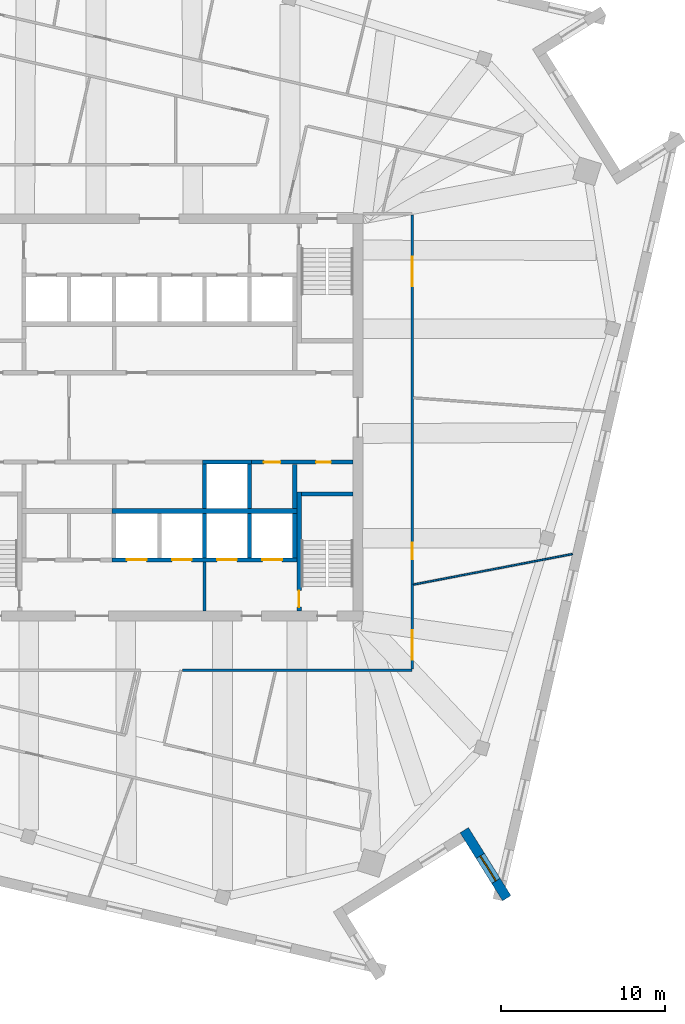
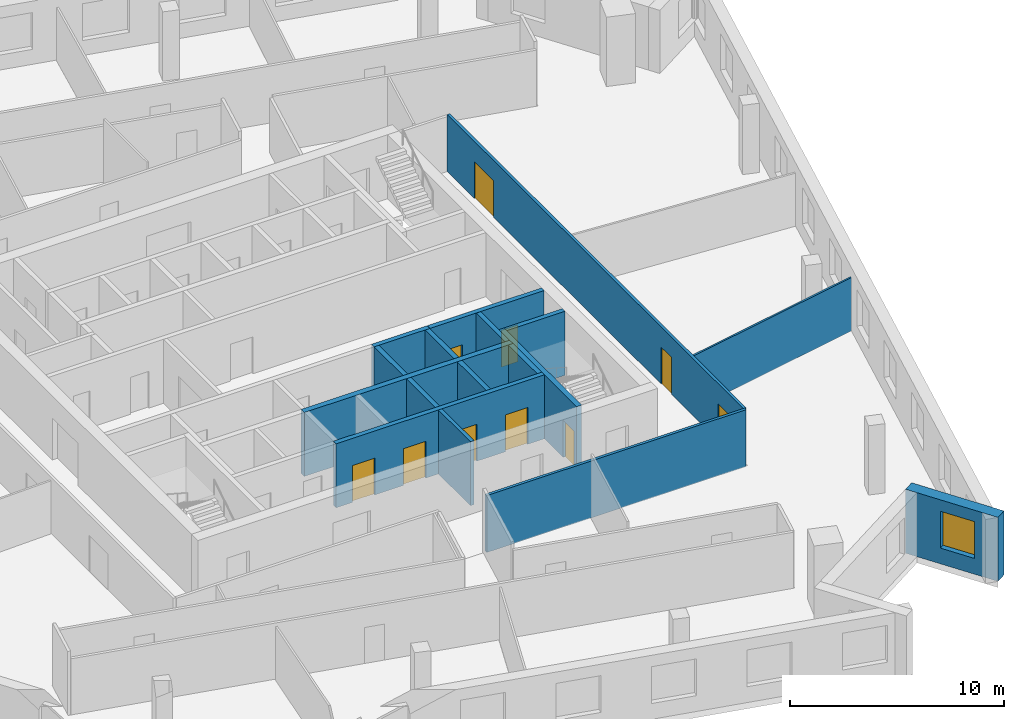
# One storey, part 7 of 14: 17 walls, 10 doors, 1 window, 11 openings.
"""IFC4 building model written with IfcOpenShell, lengths in metres."""

from ifc_helpers import new_model, si_unit, direction, frame, frame_2d, origin, place, context, subcontext, project, spatial, rectangle, extrude, material, layer, layer_set, type_object, element, fill, save


model = new_model("IFC4")

# Units and contexts
model_context = context("Model", 3, precision=1e-05, world=origin(), true_north=direction((0.0, 1.0)))
body_context = subcontext(model_context, "Body", "Model", "MODEL_VIEW")
ifc_project = project(units=[si_unit("LENGTHUNIT", "METRE"), si_unit("AREAUNIT", "SQUARE_METRE"), si_unit("VOLUMEUNIT", "CUBIC_METRE"), si_unit("PLANEANGLEUNIT", "RADIAN"), si_unit("MASSUNIT", "GRAM", prefix="KILO")], contexts=[model_context])

# Site, building, storey
site_placement = place(None, origin())
site = spatial("IfcSite", under=ifc_project, at=site_placement, CompositionType="ELEMENT")
building_placement = place(site_placement, origin())
building = spatial("IfcBuilding", under=site, at=building_placement, Name="Dilmun Exchange Tower", CompositionType="ELEMENT")
storey_placement = place(building_placement, frame((0.0, 0.0, 340.5)))
storey = spatial("IfcBuildingStorey", under=building, at=storey_placement, Name="L81", CompositionType="ELEMENT", Elevation=340.5)

# Walls
ifc_material_1 = material(Name="Concrete C40/50", Category="concrete")
ifc_layer_1 = layer(ifc_material_1, 0.199951171875)
ifc_layer_set_1 = layer_set([ifc_layer_1], Name="Concrete C40/50")
wall_type_1 = type_object("IfcWallType", Name="Core partition wall 200", PredefinedType="PARTITIONING", material=ifc_layer_set_1)
wall_1_placement = place(storey_placement, frame((2.75, -11.794921875, 0.0), z_axis=(0.0, 0.0, 1.0), x_axis=(0.0, 1.0, 0.0)))
element("IfcWall", 1, at=wall_1_placement, inside=storey, type_object=wall_type_1, Name="L81 core partition wall 01", PredefinedType="PARTITIONING", context=body_context, shape_type="SweptSolid", body=[
    extrude(rectangle(XDim=2.989990234375, YDim=0.199951171875, at=frame_2d((1.4951171875, 0.0))), origin(), (0.0, 0.0, 1.0), 3.64990234375),
])
ifc_layer_2 = layer(ifc_material_1, 0.25)
ifc_layer_set_2 = layer_set([ifc_layer_2], Name="Concrete C40/50")
wall_type_2 = type_object("IfcWallType", Name="Core partition wall 250", PredefinedType="PARTITIONING", material=ifc_layer_set_2)
wall_2_placement = place(storey_placement, frame((8.25, -5.544921875, 0.0), z_axis=(0.0, 0.0, 1.0), x_axis=(0.0, 1.0, 0.0)))
element("IfcWall", 2, at=wall_2_placement, inside=storey, type_object=wall_type_2, Name="L81 core partition wall 08", PredefinedType="PARTITIONING", context=body_context, shape_type="SweptSolid", body=[
    extrude(rectangle(XDim=2.68994140625, YDim=0.25, at=frame_2d((1.344970703125, 0.0))), origin(), (0.0, 0.0, 1.0), 3.64990234375),
])

# Wall, openings, doors
wall_3_placement = place(storey_placement, frame((5.6298828125, -2.72509765625, 0.0), z_axis=(0.0, 0.0, 1.0), x_axis=(1.0, 0.0, 0.0)))
wall_3 = element("IfcWall", 3, at=wall_3_placement, inside=storey, type_object=wall_type_2, Name="L81 core partition wall 10", PredefinedType="PARTITIONING", context=body_context, shape_type="SweptSolid", body=[
    extrude(rectangle(XDim=6.1650390625, YDim=0.25, at=frame_2d((3.08251953125, 0.0))), origin(), (0.0, 0.0, 1.0), 3.64990234375),
])
opening_1_placement = place(wall_3_placement, frame((0.7451171875, 0.0, 0.0)))
opening_1 = element("IfcOpeningElement", 4, at=opening_1_placement, cuts=wall_3, Name="Opening CD4", PredefinedType="OPENING", context=body_context, shape_type="SweptSolid", body=[
    extrude(rectangle(XDim=1.0, YDim=2.10009765625, at=frame_2d((0.5, 1.050048828125))), frame((0.0, 0.135009765625, 0.0), z_axis=(0.0, -1.0, 0.0), x_axis=(1.0, 0.0, 0.0)), (0.0, 0.0, 1.0), 0.27001953125),
])
opening_2_placement = place(wall_3_placement, frame((3.919921875, 0.0, 0.0)))
opening_2 = element("IfcOpeningElement", 5, at=opening_2_placement, cuts=wall_3, Name="Opening CD6", PredefinedType="OPENING", context=body_context, shape_type="SweptSolid", body=[
    extrude(rectangle(XDim=0.89990234375, YDim=2.10009765625, at=frame_2d((0.449951171875, 1.050048828125))), frame((0.0, 0.135009765625, 0.0), z_axis=(0.0, -1.0, 0.0), x_axis=(1.0, 0.0, 0.0)), (0.0, 0.0, 1.0), 0.27001953125),
])
ifc_material_2 = material(Name="Fire-rated steel door set", Category="steel")
door_type_1 = type_object("IfcDoorType", Name="Core room door 1000x2100", OperationType="SINGLE_SWING_LEFT", PredefinedType="DOOR", material=ifc_material_2)
door_1_placement = place(opening_1_placement, origin())
door_1 = element("IfcDoor", 6, at=door_1_placement, inside=storey, type_object=door_type_1, Name="L81 door Cleaners' store", OperationType="SINGLE_SWING_RIGHT", OverallHeight=2.10009765625, OverallWidth=1.0, PredefinedType="DOOR", context=body_context, shape_type="SweptSolid", body=[
    extrude(rectangle(XDim=1.0, YDim=2.10009765625, at=frame_2d((0.5, 1.050048828125))), frame((0.0, 0.02490234375, 0.0), z_axis=(0.0, -1.0, 0.0), x_axis=(1.0, 0.0, 0.0)), (0.0, 0.0, 1.0), 0.050048828125),
])
fill(opening_1, door_1)
door_type_2 = type_object("IfcDoorType", Name="Core room door 900x2100", OperationType="SINGLE_SWING_LEFT", PredefinedType="DOOR", material=ifc_material_2)
door_2_placement = place(opening_2_placement, origin())
door_2 = element("IfcDoor", 7, at=door_2_placement, inside=storey, type_object=door_type_2, Name="L81 door Comms riser", OperationType="SINGLE_SWING_RIGHT", OverallHeight=2.10009765625, OverallWidth=0.89990234375, PredefinedType="DOOR", context=body_context, shape_type="SweptSolid", body=[
    extrude(rectangle(XDim=0.89990234375, YDim=2.10009765625, at=frame_2d((0.449951171875, 1.050048828125))), frame((0.0, 0.02490234375, 0.0), z_axis=(0.0, -1.0, 0.0), x_axis=(1.0, 0.0, 0.0)), (0.0, 0.0, 1.0), 0.050048828125),
])
fill(opening_2, door_2)

# Wall
ifc_material_3 = material(Name="Corridor wall 150")
ifc_layer_3 = layer(ifc_material_3, 0.14990234375)
ifc_layer_set_3 = layer_set([ifc_layer_3], Name="Corridor wall 150")
wall_type_3 = type_object("IfcWallType", Name="Corridor wall 150", PredefinedType="PARTITIONING", material=ifc_layer_set_3)
wall_4_placement = place(storey_placement, frame((1.40625, -15.39990234375, 0.0), z_axis=(0.0, 0.0, 1.0), x_axis=(1.0, 0.0, 0.0)))
element("IfcWall", 8, at=wall_4_placement, inside=storey, type_object=wall_type_3, Name="Corridor wall", PredefinedType="PARTITIONING", context=body_context, shape_type="SweptSolid", body=[
    extrude(rectangle(XDim=13.99365234375, YDim=0.14990234375, at=frame_2d((6.996826171875, 0.0))), origin(), (0.0, 0.0, 1.0), 3.25),
])

# Wall, openings, doors
wall_5_placement = place(storey_placement, frame((15.39990234375, -15.324951171875, 0.0), z_axis=(0.0, 0.0, 1.0), x_axis=(0.0, 1.0, 0.0)))
wall_5 = element("IfcWall", 9, at=wall_5_placement, inside=storey, type_object=wall_type_3, Name="Corridor wall", PredefinedType="PARTITIONING", context=body_context, shape_type="SweptSolid", body=[
    extrude(rectangle(XDim=27.64990234375, YDim=0.14990234375, at=frame_2d((13.824951171875, 0.0))), origin(), (0.0, 0.0, 1.0), 3.25),
])
opening_3_placement = place(wall_5_placement, frame((0.550048828125, 0.0, 0.0)))
opening_3 = element("IfcOpeningElement", 10, at=opening_3_placement, cuts=wall_5, Name="Opening TF79-D15", PredefinedType="OPENING", context=body_context, shape_type="SweptSolid", body=[
    extrude(rectangle(XDim=1.800048828125, YDim=2.10009765625, at=frame_2d((0.89990234375, 1.050048828125))), frame((0.0, 0.0849609375, 0.0), z_axis=(0.0, -1.0, 0.0), x_axis=(1.0, 0.0, 0.0)), (0.0, 0.0, 1.0), 0.169921875),
])
opening_4_placement = place(wall_5_placement, frame((6.677734375, 0.0, 0.0)))
opening_4 = element("IfcOpeningElement", 11, at=opening_4_placement, cuts=wall_5, Name="Opening TF79-D17", PredefinedType="OPENING", context=body_context, shape_type="SweptSolid", body=[
    extrude(rectangle(XDim=1.0, YDim=2.10009765625, at=frame_2d((0.5, 1.050048828125))), frame((0.0, 0.0849609375, 0.0), z_axis=(0.0, -1.0, 0.0), x_axis=(1.0, 0.0, 0.0)), (0.0, 0.0, 1.0), 0.169921875),
])
opening_5_placement = place(wall_5_placement, frame((23.322021484375, 0.0, 0.0)))
opening_5 = element("IfcOpeningElement", 12, at=opening_5_placement, cuts=wall_5, Name="Opening TF79-D18", PredefinedType="OPENING", context=body_context, shape_type="SweptSolid", body=[
    extrude(rectangle(XDim=1.800048828125, YDim=2.10009765625, at=frame_2d((0.89990234375, 1.050048828125))), frame((0.0, 0.0849609375, 0.0), z_axis=(0.0, -1.0, 0.0), x_axis=(1.0, 0.0, 0.0)), (0.0, 0.0, 1.0), 0.169921875),
])
ifc_material_4 = material(Name="Fire door 1000 x 2100")
door_type_3 = type_object("IfcDoorType", Name="Fire door 1000 x 2100", OperationType="NOTDEFINED", PredefinedType="DOOR", material=ifc_material_4)
door_3_placement = place(opening_4_placement, frame((1.0, 0.0, 0.0), z_axis=(0.0, 0.0, 1.0), x_axis=(-1.0, 0.0, 0.0)))
door_3 = element("IfcDoor", 13, at=door_3_placement, inside=storey, type_object=door_type_3, Name="Door TF79-D17", OperationType="SINGLE_SWING_LEFT", OverallHeight=2.10009765625, OverallWidth=1.0, PredefinedType="DOOR", context=body_context, shape_type="SweptSolid", body=[
    extrude(rectangle(XDim=1.0, YDim=2.10009765625, at=frame_2d((0.5, 1.050048828125))), frame((0.0, 0.02490234375, 0.0), z_axis=(0.0, -1.0, 0.0), x_axis=(1.0, 0.0, 0.0)), (0.0, 0.0, 1.0), 0.050048828125),
])
fill(opening_4, door_3)
ifc_material_5 = material(Name="Fire door pair 1800 x 2100")
door_type_4 = type_object("IfcDoorType", Name="Fire door pair 1800 x 2100", OperationType="NOTDEFINED", PredefinedType="DOOR", material=ifc_material_5)
door_4_placement = place(opening_3_placement, frame((1.800048828125, 0.0, 0.0), z_axis=(0.0, 0.0, 1.0), x_axis=(-1.0, 0.0, 0.0)))
door_4 = element("IfcDoor", 14, at=door_4_placement, inside=storey, type_object=door_type_4, Name="Door TF79-D15", OperationType="DOUBLE_DOOR_SINGLE_SWING", OverallHeight=2.10009765625, OverallWidth=1.800048828125, PredefinedType="DOOR", context=body_context, shape_type="SweptSolid", body=[
    extrude(rectangle(XDim=1.800048828125, YDim=2.10009765625, at=frame_2d((0.89990234375, 1.050048828125))), frame((0.0, 0.02490234375, 0.0), z_axis=(0.0, -1.0, 0.0), x_axis=(1.0, 0.0, 0.0)), (0.0, 0.0, 1.0), 0.050048828125),
])
fill(opening_3, door_4)
door_5_placement = place(opening_5_placement, frame((1.800048828125, 0.0, 0.0), z_axis=(0.0, 0.0, 1.0), x_axis=(-1.0, 0.0, 0.0)))
door_5 = element("IfcDoor", 15, at=door_5_placement, inside=storey, type_object=door_type_4, Name="Door TF79-D18", OperationType="DOUBLE_DOOR_SINGLE_SWING", OverallHeight=2.10009765625, OverallWidth=1.800048828125, PredefinedType="DOOR", context=body_context, shape_type="SweptSolid", body=[
    extrude(rectangle(XDim=1.800048828125, YDim=2.10009765625, at=frame_2d((0.89990234375, 1.050048828125))), frame((0.0, 0.02490234375, 0.0), z_axis=(0.0, -1.0, 0.0), x_axis=(1.0, 0.0, 0.0)), (0.0, 0.0, 1.0), 0.050048828125),
])
fill(opening_5, door_5)

# Walls
ifc_layer_4 = layer(ifc_material_1, 0.300048828125)
ifc_layer_set_4 = layer_set([ifc_layer_4], Name="Concrete C40/50")
wall_type_4 = type_object("IfcWallType", Name="Lift shaft shared wall 300", PredefinedType="SOLIDWALL", material=ifc_layer_set_4)
wall_6_placement = place(storey_placement, frame((-2.875, -5.699951171875, 0.0), z_axis=(0.0, 0.0, 1.0), x_axis=(1.0, 0.0, 0.0)))
element("IfcWall", 16, at=wall_6_placement, inside=storey, type_object=wall_type_4, Name="L81 lift shaft rear wall S", PredefinedType="SOLIDWALL", context=body_context, shape_type="SweptSolid", body=[
    extrude(rectangle(XDim=11.25, YDim=0.300048828125, at=frame_2d((5.625, 0.0))), origin(), (0.0, 0.0, 1.0), 3.64990234375),
])
ifc_layer_5 = layer(ifc_material_1, 0.25)
ifc_layer_set_5 = layer_set([ifc_layer_5], Name="Concrete C40/50")
wall_type_5 = type_object("IfcWallType", Name="Lift shaft wall 250", PredefinedType="SOLIDWALL", material=ifc_layer_set_5)
wall_7_placement = place(storey_placement, frame((2.625, -2.72509765625, 0.0), z_axis=(0.0, 0.0, 1.0), x_axis=(1.0, 0.0, 0.0)))
element("IfcWall", 17, at=wall_7_placement, inside=storey, type_object=wall_type_5, Name="L81 lift shaft front wall S1", PredefinedType="SOLIDWALL", context=body_context, shape_type="SweptSolid", body=[
    extrude(rectangle(XDim=3.0, YDim=0.25, at=frame_2d((1.5, 0.0))), origin(), (0.0, 0.0, 1.0), 3.64990234375),
])
for number, where, z_axis, x_axis, name in (
    (18, (2.75, -5.550048828125, 0.0), (0.0, 0.0, 1.0), (0.0, 1.0, 0.0), "L81 lift shaft divider S14"),
    (19, (5.5, -5.550048828125, 0.0), (0.0, 0.0, 1.0), (0.0, 1.0, 0.0), "L81 lift shaft divider S15"),
):
    element("IfcWall", number, at=place(storey_placement, frame(where, z_axis=z_axis, x_axis=x_axis)), inside=storey, type_object=wall_type_5, Name=name, PredefinedType="SOLIDWALL", context=body_context, shape_type="SweptSolid", body=[
        extrude(rectangle(XDim=2.699951171875, YDim=0.25, at=frame_2d((1.35009765625, 0.0))), origin(), (0.0, 0.0, 1.0), 3.64990234375),
    ])

# Wall, openings, doors
wall_8_placement = place(storey_placement, frame((-2.875, -8.675048828125, 0.0), z_axis=(0.0, 0.0, 1.0), x_axis=(1.0, 0.0, 0.0)))
wall_8 = element("IfcWall", 20, at=wall_8_placement, inside=storey, type_object=wall_type_5, Name="L81 lift shaft front wall S2", PredefinedType="SOLIDWALL", context=body_context, shape_type="SweptSolid", body=[
    extrude(rectangle(XDim=11.25, YDim=0.25, at=frame_2d((5.625, 0.0))), origin(), (0.0, 0.0, 1.0), 3.64990234375),
])
opening_6_placement = place(wall_8_placement, frame((0.89990234375, 0.0, 0.0)))
opening_6 = element("IfcOpeningElement", 21, at=opening_6_placement, cuts=wall_8, Name="Opening LD", PredefinedType="OPENING", context=body_context, shape_type="SweptSolid", body=[
    extrude(rectangle(XDim=1.199951171875, YDim=2.10009765625, at=frame_2d((0.60009765625, 1.050048828125))), frame((0.0, 0.135009765625, 0.0), z_axis=(0.0, -1.0, 0.0), x_axis=(1.0, 0.0, 0.0)), (0.0, 0.0, 1.0), 0.27001953125),
])
opening_7_placement = place(wall_8_placement, frame((3.64990234375, 0.0, 0.0)))
opening_7 = element("IfcOpeningElement", 22, at=opening_7_placement, cuts=wall_8, Name="Opening LD", PredefinedType="OPENING", context=body_context, shape_type="SweptSolid", body=[
    extrude(rectangle(XDim=1.199951171875, YDim=2.10009765625, at=frame_2d((0.60009765625, 1.050048828125))), frame((0.0, 0.135009765625, 0.0), z_axis=(0.0, -1.0, 0.0), x_axis=(1.0, 0.0, 0.0)), (0.0, 0.0, 1.0), 0.27001953125),
])
opening_8_placement = place(wall_8_placement, frame((6.39990234375, 0.0, 0.0)))
opening_8 = element("IfcOpeningElement", 23, at=opening_8_placement, cuts=wall_8, Name="Opening LD", PredefinedType="OPENING", context=body_context, shape_type="SweptSolid", body=[
    extrude(rectangle(XDim=1.199951171875, YDim=2.10009765625, at=frame_2d((0.60009765625, 1.050048828125))), frame((0.0, 0.135009765625, 0.0), z_axis=(0.0, -1.0, 0.0), x_axis=(1.0, 0.0, 0.0)), (0.0, 0.0, 1.0), 0.27001953125),
])
opening_9_placement = place(wall_8_placement, frame((9.14990234375, 0.0, 0.0)))
opening_9 = element("IfcOpeningElement", 24, at=opening_9_placement, cuts=wall_8, Name="Opening LD", PredefinedType="OPENING", context=body_context, shape_type="SweptSolid", body=[
    extrude(rectangle(XDim=1.199951171875, YDim=2.10009765625, at=frame_2d((0.60009765625, 1.050048828125))), frame((0.0, 0.135009765625, 0.0), z_axis=(0.0, -1.0, 0.0), x_axis=(1.0, 0.0, 0.0)), (0.0, 0.0, 1.0), 0.27001953125),
])
door_type_5 = type_object("IfcDoorType", Name="Lift landing door 1200x2100", OperationType="DOUBLE_DOOR_SLIDING", PredefinedType="DOOR", material=ifc_material_2)
door_6_placement = place(opening_6_placement, origin())
door_6 = element("IfcDoor", 25, at=door_6_placement, inside=storey, type_object=door_type_5, Name="L81 landing door SV1", OperationType="DOUBLE_DOOR_SLIDING", OverallHeight=2.10009765625, OverallWidth=1.199951171875, PredefinedType="DOOR", context=body_context, shape_type="SweptSolid", body=[
    extrude(rectangle(XDim=1.199951171875, YDim=2.10009765625, at=frame_2d((0.60009765625, 1.050048828125))), frame((0.0, 0.02490234375, 0.0), z_axis=(0.0, -1.0, 0.0), x_axis=(1.0, 0.0, 0.0)), (0.0, 0.0, 1.0), 0.050048828125),
])
fill(opening_6, door_6)
door_7_placement = place(opening_7_placement, origin())
door_7 = element("IfcDoor", 26, at=door_7_placement, inside=storey, type_object=door_type_5, Name="L81 landing door SV2", OperationType="DOUBLE_DOOR_SLIDING", OverallHeight=2.10009765625, OverallWidth=1.199951171875, PredefinedType="DOOR", context=body_context, shape_type="SweptSolid", body=[
    extrude(rectangle(XDim=1.199951171875, YDim=2.10009765625, at=frame_2d((0.60009765625, 1.050048828125))), frame((0.0, 0.02490234375, 0.0), z_axis=(0.0, -1.0, 0.0), x_axis=(1.0, 0.0, 0.0)), (0.0, 0.0, 1.0), 0.050048828125),
])
fill(opening_7, door_7)
door_8_placement = place(opening_8_placement, origin())
door_8 = element("IfcDoor", 27, at=door_8_placement, inside=storey, type_object=door_type_5, Name="L81 landing door FF1", OperationType="DOUBLE_DOOR_SLIDING", OverallHeight=2.10009765625, OverallWidth=1.199951171875, PredefinedType="DOOR", context=body_context, shape_type="SweptSolid", body=[
    extrude(rectangle(XDim=1.199951171875, YDim=2.10009765625, at=frame_2d((0.60009765625, 1.050048828125))), frame((0.0, 0.02490234375, 0.0), z_axis=(0.0, -1.0, 0.0), x_axis=(1.0, 0.0, 0.0)), (0.0, 0.0, 1.0), 0.050048828125),
])
fill(opening_8, door_8)
door_9_placement = place(opening_9_placement, origin())
door_9 = element("IfcDoor", 28, at=door_9_placement, inside=storey, type_object=door_type_5, Name="L81 landing door FF2", OperationType="DOUBLE_DOOR_SLIDING", OverallHeight=2.10009765625, OverallWidth=1.199951171875, PredefinedType="DOOR", context=body_context, shape_type="SweptSolid", body=[
    extrude(rectangle(XDim=1.199951171875, YDim=2.10009765625, at=frame_2d((0.60009765625, 1.050048828125))), frame((0.0, 0.02490234375, 0.0), z_axis=(0.0, -1.0, 0.0), x_axis=(1.0, 0.0, 0.0)), (0.0, 0.0, 1.0), 0.050048828125),
])
fill(opening_9, door_9)

# Walls
for number, where, z_axis, x_axis, name in (
    (29, (2.75, -8.550048828125, 0.0), (0.0, 0.0, 1.0), (0.0, 1.0, 0.0), "L81 lift shaft divider S24"),
    (30, (5.5, -8.550048828125, 0.0), (0.0, 0.0, 1.0), (0.0, 1.0, 0.0), "L81 lift shaft divider S25"),
    (31, (8.25, -8.550048828125, 0.0), (0.0, 0.0, 1.0), (0.0, 1.0, 0.0), "L81 lift shaft divider S26"),
):
    element("IfcWall", number, at=place(storey_placement, frame(where, z_axis=z_axis, x_axis=x_axis)), inside=storey, type_object=wall_type_5, Name=name, PredefinedType="SOLIDWALL", context=body_context, shape_type="SweptSolid", body=[
        extrude(rectangle(XDim=2.699951171875, YDim=0.25, at=frame_2d((1.35009765625, 0.0))), origin(), (0.0, 0.0, 1.0), 3.64990234375),
    ])
ifc_material_6 = material(Name="Partition 100")
ifc_layer_6 = layer(ifc_material_6, 0.10009765625)
ifc_layer_set_6 = layer_set([ifc_layer_6], Name="Partition 100")
wall_type_6 = type_object("IfcWallType", Name="Partition 100", PredefinedType="PARTITIONING", material=ifc_layer_set_6)
wall_9_placement = place(storey_placement, frame((15.484375, -10.180908203125, 0.0), z_axis=(0.0, 0.0, 1.0), x_axis=(0.982063248181, 0.188551787506, 0.0)))
element("IfcWall", 32, at=wall_9_placement, inside=storey, type_object=wall_type_6, Name="Partition", PredefinedType="PARTITIONING", context=body_context, shape_type="SweptSolid", body=[
    extrude(rectangle(XDim=9.864013671875, YDim=0.10009765625, at=frame_2d((4.93212890625, 0.0))), origin(), (0.0, 0.0, 1.0), 3.050048828125),
])

# Wall, opening, window
ifc_material_7 = material(Name="Precast concrete C50/60", Category="concrete")
ifc_layer_7 = layer(ifc_material_7, 0.60009765625)
ifc_layer_set_7 = layer_set([ifc_layer_7], Name="Precast concrete C50/60")
wall_type_7 = type_object("IfcWallType", Name="Precast stone-clad wall 600", PredefinedType="STANDARD", material=ifc_layer_set_7)
wall_10_placement = place(storey_placement, frame((18.576904296875, -25.146240234375, 0.0), z_axis=(0.0, 0.0, 1.0), x_axis=(0.529954020527, -0.848026377024, 0.0)))
wall_10 = element("IfcWall", 33, at=wall_10_placement, inside=storey, type_object=wall_type_7, Name="Facade wall L81-10", PredefinedType="STANDARD", context=body_context, shape_type="SweptSolid", body=[
    extrude(rectangle(XDim=4.885498046875, YDim=0.60009765625, at=frame_2d((2.44287109375, 0.0))), origin(), (0.0, 0.0, 1.0), 3.64990234375),
])
opening_10_placement = place(wall_10_placement, frame((1.8427734375, 0.0, 0.89990234375)))
opening_10 = element("IfcOpeningElement", 34, at=opening_10_placement, cuts=wall_10, Name="Opening W180-210", PredefinedType="OPENING", context=body_context, shape_type="SweptSolid", body=[
    extrude(rectangle(XDim=1.800048828125, YDim=2.10009765625, at=frame_2d((0.89990234375, 1.050048828125))), frame((0.0, 0.31005859375, 0.0), z_axis=(0.0, -1.0, 0.0), x_axis=(1.0, 0.0, 0.0)), (0.0, 0.0, 1.0), 0.6201171875),
])
ifc_material_8 = material(Name="Clear low-emissivity glass in aluminium frame", Category="aluminium")
window_type = type_object("IfcWindowType", Name="Punched window 1800 x 2100", PartitioningType="DOUBLE_PANEL_VERTICAL", PredefinedType="WINDOW", material=ifc_material_8)
window_placement = place(opening_10_placement, origin())
window = element("IfcWindow", 35, at=window_placement, inside=storey, type_object=window_type, Name="Window 11.1", OverallHeight=2.10009765625, OverallWidth=1.800048828125, PartitioningType="SINGLE_PANEL", PredefinedType="WINDOW", context=body_context, shape_type="SweptSolid", body=[
    extrude(rectangle(XDim=1.800048828125, YDim=2.10009765625, at=frame_2d((0.89990234375, 1.050048828125))), frame((0.0, 0.030029296875, 0.0), z_axis=(0.0, -1.0, 0.0), x_axis=(1.0, 0.0, 0.0)), (0.0, 0.0, 1.0), 0.06005859375),
])
fill(opening_10, window)

# Wall
ifc_layer_8 = layer(ifc_material_1, 0.25)
ifc_layer_set_8 = layer_set([ifc_layer_8], Name="Concrete C40/50")
wall_type_8 = type_object("IfcWallType", Name="Stair end wall 250", PredefinedType="SOLIDWALL", material=ifc_layer_set_8)
wall_11_placement = place(storey_placement, frame((8.64990234375, -4.675048828125, 0.0), z_axis=(0.0, 0.0, 1.0), x_axis=(1.0, 0.0, 0.0)))
element("IfcWall", 36, at=wall_11_placement, inside=storey, type_object=wall_type_8, Name="L81 ST3 far wall", PredefinedType="SOLIDWALL", context=body_context, shape_type="SweptSolid", body=[
    extrude(rectangle(XDim=3.150146484375, YDim=0.25, at=frame_2d((1.5751953125, 0.0))), origin(), (0.0, 0.0, 1.0), 3.64990234375),
])

# Wall, opening, door
ifc_layer_9 = layer(ifc_material_1, 0.27490234375)
ifc_layer_set_9 = layer_set([ifc_layer_9], Name="Concrete C40/50")
wall_type_9 = type_object("IfcWallType", Name="Stair wall 275", PredefinedType="SOLIDWALL", material=ifc_layer_set_9)
wall_12_placement = place(storey_placement, frame((8.512451171875, -4.550048828125, 0.0), z_axis=(0.0, 0.0, 1.0), x_axis=(0.0, -1.0, 0.0)))
wall_12 = element("IfcWall", 37, at=wall_12_placement, inside=storey, type_object=wall_type_9, Name="L81 ST3 wall to lift block", PredefinedType="SOLIDWALL", context=body_context, shape_type="SweptSolid", body=[
    extrude(rectangle(XDim=7.25, YDim=0.27490234375, at=frame_2d((3.625, 0.0))), origin(), (0.0, 0.0, 1.0), 3.64990234375),
])
opening_11_placement = place(wall_12_placement, frame((6.0, 0.0, 0.0)))
opening_11 = element("IfcOpeningElement", 38, at=opening_11_placement, cuts=wall_12, Name="Opening CD4", PredefinedType="OPENING", context=body_context, shape_type="SweptSolid", body=[
    extrude(rectangle(XDim=1.0, YDim=2.10009765625, at=frame_2d((0.5, 1.050048828125))), frame((0.0, 0.1474609375, 0.0), z_axis=(0.0, -1.0, 0.0), x_axis=(1.0, 0.0, 0.0)), (0.0, 0.0, 1.0), 0.294921875),
])
door_10_placement = place(opening_11_placement, origin())
door_10 = element("IfcDoor", 39, at=door_10_placement, inside=storey, type_object=door_type_1, Name="L81 door ST3 from lobby", OperationType="SINGLE_SWING_LEFT", OverallHeight=2.10009765625, OverallWidth=1.0, PredefinedType="DOOR", context=body_context, shape_type="SweptSolid", body=[
    extrude(rectangle(XDim=1.0, YDim=2.10009765625, at=frame_2d((0.5, 1.050048828125))), frame((0.0, 0.02490234375, 0.0), z_axis=(0.0, -1.0, 0.0), x_axis=(1.0, 0.0, 0.0)), (0.0, 0.0, 1.0), 0.050048828125),
])
fill(opening_11, door_10)

save(model, "model.ifc")
